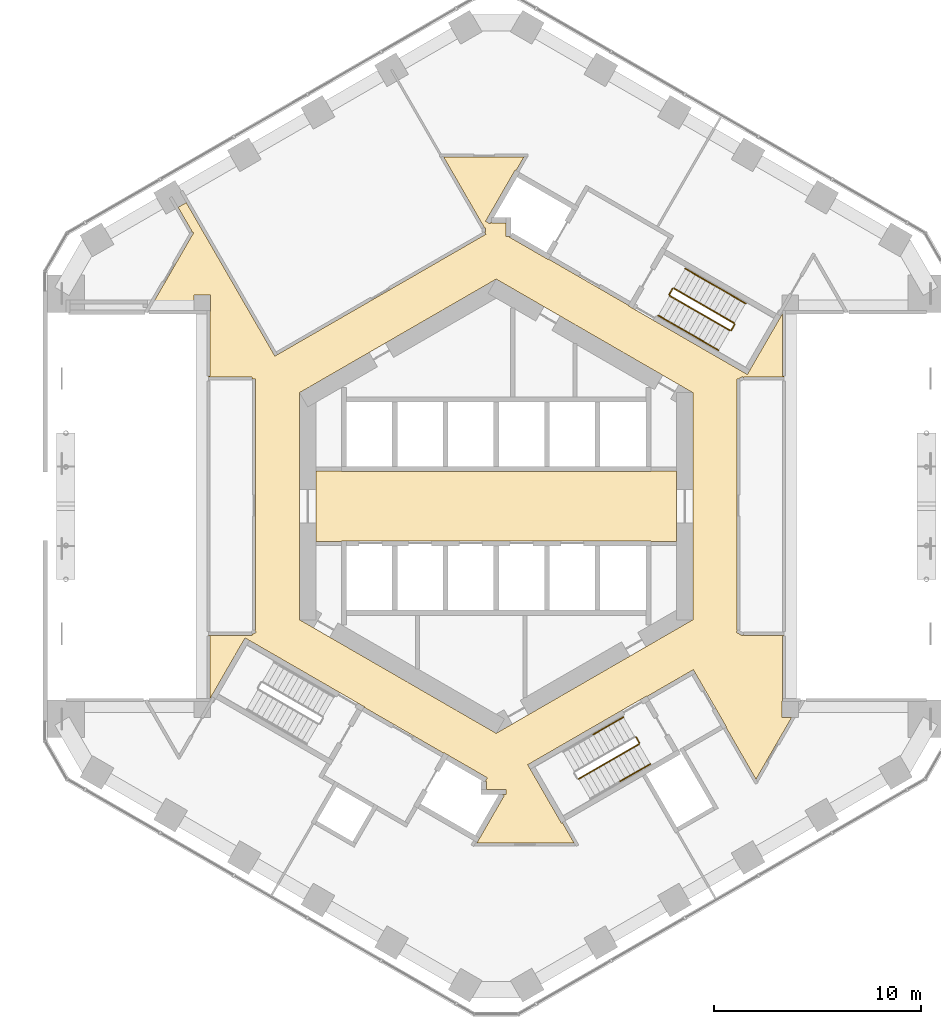
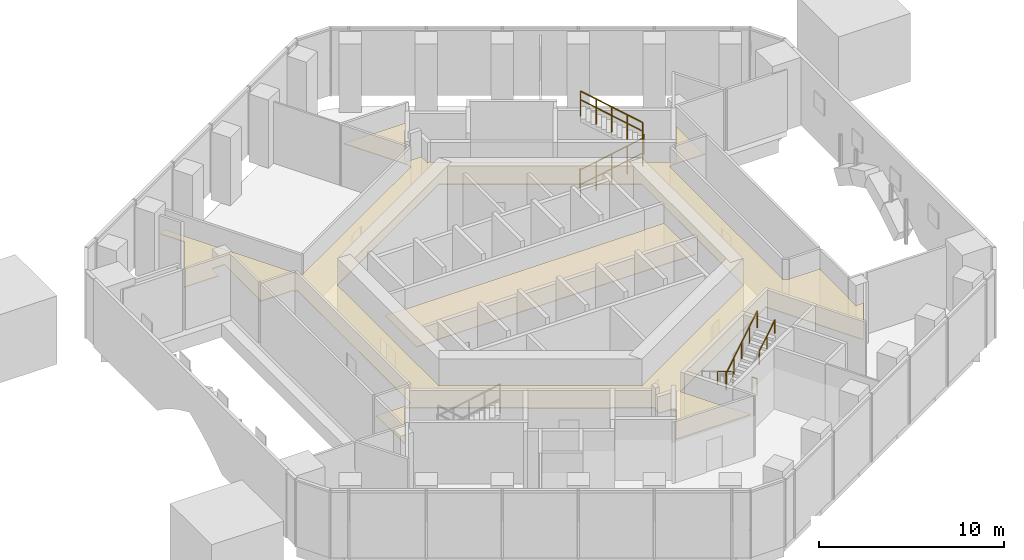
# One storey, part 14 of 14: 12 railings, 2 coverings.
"""IFC4 building model written with IfcOpenShell, lengths in metres."""

from ifc_helpers import new_model, si_unit, direction, frame, origin, origin_2d, place, context, subcontext, project, spatial, polyline, circle, outline, extrude, material, layer, layer_set, type_object, element, save


model = new_model("IFC4")

# Units and contexts
model_context = context("Model", 3, precision=1e-05, world=origin(), true_north=direction((0.0, 1.0)))
body_context = subcontext(model_context, "Body", "Model", "MODEL_VIEW")
ifc_project = project(units=[si_unit("LENGTHUNIT", "METRE"), si_unit("AREAUNIT", "SQUARE_METRE"), si_unit("VOLUMEUNIT", "CUBIC_METRE"), si_unit("PLANEANGLEUNIT", "RADIAN"), si_unit("MASSUNIT", "GRAM", prefix="KILO")], contexts=[model_context])

# Site, building, storey
site_placement = place(None, origin())
site = spatial("IfcSite", under=ifc_project, at=site_placement, CompositionType="ELEMENT")
building_placement = place(site_placement, origin())
building = spatial("IfcBuilding", under=site, at=building_placement, Name="Ayvan Gate Tower", CompositionType="ELEMENT")
storey_placement = place(building_placement, frame((0.0, 0.0, 16.0)))
storey = spatial("IfcBuildingStorey", under=building, at=storey_placement, Name="L03", CompositionType="ELEMENT", Elevation=16.0)

# Coverings
ifc_material_1 = material(Name="Plasterboard suspended ceiling")
ifc_layer = layer(ifc_material_1, 0.050048828125)
ifc_layer_set = layer_set([ifc_layer], Name="Plasterboard suspended ceiling")
covering_type = type_object("IfcCoveringType", Name="CT-SUSP-50", PredefinedType="CEILING", material=ifc_layer_set)
covering_1_placement = place(storey_placement, frame((0.0, 0.0, 2.699951171875)))
element("IfcCovering", 1, at=covering_1_placement, inside=storey, type_object=covering_type, Name="Ceiling Lift Lobby L03", PredefinedType="CEILING", context=body_context, shape_type="SweptSolid", body=[
    extrude(outline(polyline([(7.47509765625, -1.675048828125), (-7.47509765625, -1.675048828125), (-7.47509765625, -1.699951171875), (-8.699951171875, -1.699951171875), (-8.699951171875, 1.699951171875), (-7.47509765625, 1.699951171875), (-7.47509765625, 1.675048828125), (7.47509765625, 1.675048828125), (7.47509765625, 1.699951171875), (8.699951171875, 1.699951171875), (8.699951171875, -1.699951171875), (7.47509765625, -1.699951171875), (7.47509765625, -1.675048828125)])), origin(), (0.0, 0.0, 1.0), 0.050048828125),
])
covering_2_placement = place(storey_placement, frame((0.0, 0.0, 2.699951171875)))
element("IfcCovering", 2, at=covering_2_placement, inside=storey, type_object=covering_type, Name="Ceiling Gallery L03", PredefinedType="CEILING", context=body_context, shape_type="SweptSolid", body=[
    extrude(outline(polyline([(-14.617919921875, 13.20263671875), (-14.720458984375, 13.26171875), (-14.693115234375, 13.277587890625), (-15.36279296875, 14.4375), (-14.969970703125, 14.664306640625), (-10.690185546875, 7.25146484375), (-10.57763671875, 7.31640625), (-0.49755859375, 13.135986328125), (-0.556640625, 13.238525390625), (-0.52490234375, 13.238525390625), (-0.52490234375, 13.435791015625), (-0.556884765625, 13.435791015625), (-2.5341796875, 16.86083984375), (1.334228515625, 16.86083984375), (0.962158203125, 16.216552734375), (0.918701171875, 16.241455078125), (-0.511474609375, 13.76416015625), (-0.294921875, 13.63916015625), (-0.215576171875, 13.776611328125), (-0.215576171875, 13.68505859375), (0.47509765625, 13.68505859375), (0.47509765625, 13.03857421875), (0.672119140625, 13.03857421875), (0.645751953125, 12.992919921875), (2.518310546875, 11.91162109375), (2.53076171875, 11.933349609375), (6.384521484375, 9.70849609375), (6.3720703125, 9.686767578125), (6.588623046875, 9.561767578125), (12.131103515625, 6.36181640625), (12.24609375, 6.56103515625), (13.824951171875, 9.295654296875), (13.824951171875, 6.28076171875), (13.89990234375, 6.28076171875), (13.89990234375, 6.23583984375), (11.94580078125, 6.23583984375), (11.94580078125, 6.180908203125), (11.898193359375, 6.26318359375), (11.7275390625, 6.16455078125), (11.743408203125, 6.13720703125), (11.625, 6.13720703125), (11.625, -5.9873046875), (11.656494140625, -5.9873046875), (11.597412109375, -6.089599609375), (11.898193359375, -6.26318359375), (11.94580078125, -6.180908203125), (11.94580078125, -6.23583984375), (13.89990234375, -6.23583984375), (13.89990234375, -6.28076171875), (13.824951171875, -6.28076171875), (13.824951171875, -9.39794921875), (13.800048828125, -9.39794921875), (13.800048828125, -10.197998046875), (14.2744140625, -10.197998046875), (12.54931640625, -13.185791015625), (11.102294921875, -10.6796875), (11.123779296875, -10.667236328125), (9.623779296875, -8.069091796875), (9.52392578125, -7.89599609375), (7.2939453125, -9.183349609375), (7.281494140625, -9.16162109375), (1.522216796875, -12.48681640625), (1.647216796875, -12.703369140625), (3.147216796875, -15.30126953125), (3.190673828125, -15.2763671875), (3.759033203125, -16.260986328125), (-0.93017578125, -16.260986328125), (-0.803955078125, -16.042236328125), (0.386474609375, -13.980712890625), (0.30712890625, -13.93505859375), (0.465576171875, -13.93505859375), (0.465576171875, -13.68505859375), (-0.47509765625, -13.68505859375), (-0.47509765625, -13.28857421875), (-0.52783203125, -13.28857421875), (-0.42919921875, -13.117919921875), (-2.284423828125, -12.046630859375), (-2.518310546875, -11.91162109375), (-2.53076171875, -11.933349609375), (-6.384521484375, -9.70849609375), (-6.3720703125, -9.686767578125), (-11.897216796875, -6.49658203125), (-12.131103515625, -6.36181640625), (-13.824951171875, -9.295654296875), (-13.824951171875, -6.28076171875), (-13.89990234375, -6.28076171875), (-13.89990234375, -6.23583984375), (-11.7958984375, -6.23583984375), (-11.7958984375, -6.140625), (-11.768310546875, -6.188232421875), (-11.597412109375, -6.089599609375), (-11.656494140625, -5.9873046875), (-11.625, -5.9873046875), (-11.625, 6.13720703125), (-11.7958984375, 6.13720703125), (-11.7958984375, 6.23583984375), (-13.89990234375, 6.23583984375), (-13.89990234375, 6.28076171875), (-13.824951171875, 6.28076171875), (-13.824951171875, 9.39794921875), (-13.800048828125, 9.39794921875), (-13.800048828125, 10.197998046875), (-14.60009765625, 10.197998046875), (-14.60009765625, 9.44287109375), (-16.788818359375, 9.44287109375), (-14.617919921875, 13.20263671875)]), holes=[polyline([(2.808349609375, 9.34814453125), (0.0, 10.9697265625), (-2.808349609375, 9.34814453125), (-9.5, 5.48486328125), (-9.5, -5.48486328125), (-2.808349609375, -9.34814453125), (0.0, -10.9697265625), (2.808349609375, -9.34814453125), (9.5, -5.48486328125), (9.5, 5.48486328125), (2.808349609375, 9.34814453125)])]), origin(), (0.0, 0.0, 1.0), 0.050048828125),
])

# Railings
ifc_material_2 = material(Name="Stainless steel balustrade", Category="steel")
railing_type_1 = type_object("IfcRailingType", Name="RL-GUARD-1100", PredefinedType="GUARDRAIL", material=ifc_material_2)
railing_1_placement = place(storey_placement, frame((8.381103515625, 10.16650390625, 0.173095703125)))
element("IfcRailing", 3, at=railing_1_placement, inside=storey, type_object=railing_type_1, Name="L03 STS1 stair guard 1", PredefinedType="GUARDRAIL", context=body_context, shape_type="SweptSolid", body=[
    extrude(circle(Radius=0.02392578125, at=origin_2d()), frame((0.0, 0.0, 1.076171875), z_axis=(0.736667954249, -0.425288379326, 0.525785240943), x_axis=(0.499976138585, 0.866039179741, 0.0)), (0.0, 0.0, 1.0), 3.9501953125),
    extrude(circle(Radius=0.02099609375, at=origin_2d()), origin(), (0.0, 0.0, 1.0), 1.052001953125),
    extrude(circle(Radius=0.02099609375, at=origin_2d()), frame((0.7275390625, -0.419921875, 0.519287109375)), (0.0, 0.0, 1.0), 1.052001953125),
    extrude(circle(Radius=0.02099609375, at=origin_2d()), frame((1.455078125, -0.83984375, 1.03857421875)), (0.0, 0.0, 1.0), 1.052001953125),
    extrude(circle(Radius=0.02099609375, at=origin_2d()), frame((2.182373046875, -1.260009765625, 1.5576171875)), (0.0, 0.0, 1.0), 1.052001953125),
    extrude(circle(Radius=0.02099609375, at=origin_2d()), frame((2.909912109375, -1.679931640625, 2.076904296875)), (0.0, 0.0, 1.0), 1.052001953125),
])
railing_2_placement = place(storey_placement, frame((11.359130859375, 8.5048828125, 2.25)))
element("IfcRailing", 4, at=railing_2_placement, inside=storey, type_object=railing_type_1, Name="L03 STS1 stair guard 2", PredefinedType="GUARDRAIL", context=body_context, shape_type="SweptSolid", body=[
    extrude(circle(Radius=0.02392578125, at=origin_2d()), frame((0.0, 0.0, 1.076171875), z_axis=(0.500290723946, 0.86585748916, 0.0), x_axis=(-0.86585748916, 0.500290723946, 0.0)), (0.0, 0.0, 1.0), 0.309814453125),
    extrude(circle(Radius=0.02099609375, at=origin_2d()), origin(), (0.0, 0.0, 1.0), 1.052001953125),
    extrude(circle(Radius=0.02099609375, at=origin_2d()), frame((0.155029296875, 0.268310546875, 0.0)), (0.0, 0.0, 1.0), 1.052001953125),
])
railing_3_placement = place(storey_placement, frame((11.495849609375, 8.841552734375, 2.423095703125)))
element("IfcRailing", 5, at=railing_3_placement, inside=storey, type_object=railing_type_1, Name="L03 STS1 stair guard 3", PredefinedType="GUARDRAIL", context=body_context, shape_type="SweptSolid", body=[
    extrude(circle(Radius=0.02392578125, at=origin_2d()), frame((0.0, 0.0, 1.076171875), z_axis=(-0.736639687092, 0.425307743487, 0.525809180911), x_axis=(-0.500007602105, -0.866021014662, 0.0)), (0.0, 0.0, 1.0), 3.949951171875),
    extrude(circle(Radius=0.02099609375, at=origin_2d()), origin(), (0.0, 0.0, 1.0), 1.052001953125),
    extrude(circle(Radius=0.02099609375, at=origin_2d()), frame((-0.7275390625, 0.419921875, 0.519287109375)), (0.0, 0.0, 1.0), 1.052001953125),
    extrude(circle(Radius=0.02099609375, at=origin_2d()), frame((-1.454833984375, 0.83984375, 1.03857421875)), (0.0, 0.0, 1.0), 1.052001953125),
    extrude(circle(Radius=0.02099609375, at=origin_2d()), frame((-2.18212890625, 1.260009765625, 1.5576171875)), (0.0, 0.0, 1.0), 1.052001953125),
    extrude(circle(Radius=0.02099609375, at=origin_2d()), frame((-2.90966796875, 1.679931640625, 2.076904296875)), (0.0, 0.0, 1.0), 1.052001953125),
])
railing_4_placement = place(storey_placement, frame((8.36279296875, 10.23486328125, 0.0)))
element("IfcRailing", 6, at=railing_4_placement, inside=storey, type_object=railing_type_1, Name="L03 STS1 stair guard 4", PredefinedType="GUARDRAIL", context=body_context, shape_type="SweptSolid", body=[
    extrude(circle(Radius=0.02392578125, at=origin_2d()), frame((0.0, 0.0, 1.076171875), z_axis=(0.500290723946, 0.86585748916, 0.0), x_axis=(-0.86585748916, 0.500290723946, 0.0)), (0.0, 0.0, 1.0), 0.309814453125),
    extrude(circle(Radius=0.02099609375, at=origin_2d()), origin(), (0.0, 0.0, 1.0), 1.052001953125),
    extrude(circle(Radius=0.02099609375, at=origin_2d()), frame((0.155029296875, 0.268310546875, 0.0)), (0.0, 0.0, 1.0), 1.052001953125),
])
railing_5_placement = place(storey_placement, frame((3.987548828125, -13.176513671875, 2.423095703125)))
element("IfcRailing", 7, at=railing_5_placement, inside=storey, type_object=railing_type_1, Name="L03 STS3 stair guard 3", PredefinedType="GUARDRAIL", context=body_context, shape_type="SweptSolid", body=[
    extrude(circle(Radius=0.02392578125, at=origin_2d()), frame((0.0, 0.0, 1.076171875), z_axis=(0.736667954249, 0.425288379326, 0.525785240943), x_axis=(-0.499976138585, 0.866039179741, 0.0)), (0.0, 0.0, 1.0), 3.9501953125),
    extrude(circle(Radius=0.02099609375, at=origin_2d()), origin(), (0.0, 0.0, 1.0), 1.052001953125),
    extrude(circle(Radius=0.02099609375, at=origin_2d()), frame((0.7275390625, 0.419921875, 0.519287109375)), (0.0, 0.0, 1.0), 1.052001953125),
    extrude(circle(Radius=0.02099609375, at=origin_2d()), frame((1.455078125, 0.83984375, 1.03857421875)), (0.0, 0.0, 1.0), 1.052001953125),
    extrude(circle(Radius=0.02099609375, at=origin_2d()), frame((2.182373046875, 1.260009765625, 1.5576171875)), (0.0, 0.0, 1.0), 1.052001953125),
    extrude(circle(Radius=0.02099609375, at=origin_2d()), frame((2.909912109375, 1.679931640625, 2.076904296875)), (0.0, 0.0, 1.0), 1.052001953125),
])
railing_6_placement = place(storey_placement, frame((6.7607421875, -11.159912109375, 0.0)))
element("IfcRailing", 8, at=railing_6_placement, inside=storey, type_object=railing_type_1, Name="L03 STS3 stair guard 4", PredefinedType="GUARDRAIL", context=body_context, shape_type="SweptSolid", body=[
    extrude(circle(Radius=0.02392578125, at=origin_2d()), frame((0.0, 0.0, 1.076171875), z_axis=(0.500290723946, -0.86585748916, 0.0), x_axis=(0.86585748916, 0.500290723946, 0.0)), (0.0, 0.0, 1.0), 0.309814453125),
    extrude(circle(Radius=0.02099609375, at=origin_2d()), origin(), (0.0, 0.0, 1.0), 1.052001953125),
    extrude(circle(Radius=0.02099609375, at=origin_2d()), frame((0.155029296875, -0.268310546875, 0.0)), (0.0, 0.0, 1.0), 1.052001953125),
])
railing_type_2 = type_object("IfcRailingType", Name="RL-HANDRAIL-900", PredefinedType="HANDRAIL", material=ifc_material_2)
railing_7_placement = place(storey_placement, frame((7.8310546875, 9.2138671875, 0.173095703125)))
element("IfcRailing", 9, at=railing_7_placement, inside=storey, type_object=railing_type_2, Name="L03 STS1 stair handrail 1", PredefinedType="HANDRAIL", context=body_context, shape_type="SweptSolid", body=[
    extrude(circle(Radius=0.02392578125, at=origin_2d()), frame((0.0, 0.0, 0.8759765625), z_axis=(0.736700790218, -0.425333459587, 0.525702761879), x_axis=(0.499999171277, 0.866025882247, 0.0)), (0.0, 0.0, 1.0), 1.97509765625),
    extrude(circle(Radius=0.02099609375, at=origin_2d()), origin(), (0.0, 0.0, 1.0), 0.851806640625),
    extrude(circle(Radius=0.02099609375, at=origin_2d()), frame((0.7275390625, -0.419921875, 0.51904296875)), (0.0, 0.0, 1.0), 0.851806640625),
    extrude(circle(Radius=0.02099609375, at=origin_2d()), frame((1.455078125, -0.840087890625, 1.038330078125)), (0.0, 0.0, 1.0), 0.851806640625),
])
railing_8_placement = place(storey_placement, frame((9.2861328125, 8.373779296875, 1.21142578125)))
element("IfcRailing", 10, at=railing_8_placement, inside=storey, type_object=railing_type_2, Name="L03 STS1 stair handrail 2", PredefinedType="HANDRAIL", context=body_context, shape_type="SweptSolid", body=[
    extrude(circle(Radius=0.02392578125, at=origin_2d()), frame((0.0, 0.0, 0.8759765625), z_axis=(0.736635108394, -0.425243291303, 0.52586772128), x_axis=(0.499953100966, 0.866052479261, 0.0)), (0.0, 0.0, 1.0), 1.974853515625),
    extrude(circle(Radius=0.02099609375, at=origin_2d()), origin(), (0.0, 0.0, 1.0), 0.851806640625),
    extrude(circle(Radius=0.02099609375, at=origin_2d()), frame((0.7275390625, -0.419921875, 0.519287109375)), (0.0, 0.0, 1.0), 0.851806640625),
    extrude(circle(Radius=0.02099609375, at=origin_2d()), frame((1.454833984375, -0.83984375, 1.03857421875)), (0.0, 0.0, 1.0), 0.851806640625),
])
railing_9_placement = place(storey_placement, frame((12.0458984375, 9.794189453125, 2.423095703125)))
element("IfcRailing", 11, at=railing_9_placement, inside=storey, type_object=railing_type_2, Name="L03 STS1 stair handrail 3", PredefinedType="HANDRAIL", context=body_context, shape_type="SweptSolid", body=[
    extrude(circle(Radius=0.02392578125, at=origin_2d()), frame((0.0, 0.0, 0.8759765625), z_axis=(-0.736644260248, 0.425372193239, 0.525750635817), x_axis=(-0.500062097304, -0.865989548921, 0.0)), (0.0, 0.0, 1.0), 1.974853515625),
    extrude(circle(Radius=0.02099609375, at=origin_2d()), origin(), (0.0, 0.0, 1.0), 0.851806640625),
    extrude(circle(Radius=0.02099609375, at=origin_2d()), frame((-0.7275390625, 0.419921875, 0.51904296875)), (0.0, 0.0, 1.0), 0.851806640625),
    extrude(circle(Radius=0.02099609375, at=origin_2d()), frame((-1.454833984375, 0.840087890625, 1.038330078125)), (0.0, 0.0, 1.0), 0.851806640625),
])
railing_10_placement = place(storey_placement, frame((10.591064453125, 10.63427734375, 3.46142578125)))
element("IfcRailing", 12, at=railing_10_placement, inside=storey, type_object=railing_type_2, Name="L03 STS1 stair handrail 4", PredefinedType="HANDRAIL", context=body_context, shape_type="SweptSolid", body=[
    extrude(circle(Radius=0.02392578125, at=origin_2d()), frame((0.0, 0.0, 0.8759765625), z_axis=(-0.736691639328, 0.42520457035, 0.525819837869), x_axis=(-0.499890179513, -0.866088799389, 0.0)), (0.0, 0.0, 1.0), 1.97509765625),
    extrude(circle(Radius=0.02099609375, at=origin_2d()), origin(), (0.0, 0.0, 1.0), 0.851806640625),
    extrude(circle(Radius=0.02099609375, at=origin_2d()), frame((-0.7275390625, 0.419921875, 0.519287109375)), (0.0, 0.0, 1.0), 0.851806640625),
    extrude(circle(Radius=0.02099609375, at=origin_2d()), frame((-1.455078125, 0.83984375, 1.03857421875)), (0.0, 0.0, 1.0), 0.851806640625),
])
railing_11_placement = place(storey_placement, frame((6.142333984375, -10.18896484375, 0.173095703125)))
element("IfcRailing", 13, at=railing_11_placement, inside=storey, type_object=railing_type_2, Name="L03 STS3 stair handrail 1", PredefinedType="HANDRAIL", context=body_context, shape_type="SweptSolid", body=[
    extrude(circle(Radius=0.02392578125, at=origin_2d()), frame((0.0, 0.0, 0.8759765625), z_axis=(-0.736682993367, -0.425270934248, 0.525778280045), x_axis=(0.499953100966, -0.866052479261, 0.0)), (0.0, 0.0, 1.0), 1.974853515625),
    extrude(circle(Radius=0.02099609375, at=origin_2d()), origin(), (0.0, 0.0, 1.0), 0.851806640625),
    extrude(circle(Radius=0.02099609375, at=origin_2d()), frame((-0.7275390625, -0.419921875, 0.51904296875)), (0.0, 0.0, 1.0), 0.851806640625),
    extrude(circle(Radius=0.02099609375, at=origin_2d()), frame((-1.454833984375, -0.83984375, 1.038330078125)), (0.0, 0.0, 1.0), 0.851806640625),
])
railing_12_placement = place(storey_placement, frame((5.992431640625, -13.289306640625, 3.46142578125)))
element("IfcRailing", 14, at=railing_12_placement, inside=storey, type_object=railing_type_2, Name="L03 STS3 stair handrail 4", PredefinedType="HANDRAIL", context=body_context, shape_type="SweptSolid", body=[
    extrude(circle(Radius=0.02392578125, at=origin_2d()), frame((0.0, 0.0, 0.8759765625), z_axis=(0.736596382827, 0.42534454662, 0.525840075943), x_axis=(-0.500062097304, 0.865989548921, 0.0)), (0.0, 0.0, 1.0), 1.97509765625),
    extrude(circle(Radius=0.02099609375, at=origin_2d()), origin(), (0.0, 0.0, 1.0), 0.851806640625),
    extrude(circle(Radius=0.02099609375, at=origin_2d()), frame((0.7275390625, 0.419921875, 0.519287109375)), (0.0, 0.0, 1.0), 0.851806640625),
    extrude(circle(Radius=0.02099609375, at=origin_2d()), frame((1.454833984375, 0.840087890625, 1.03857421875)), (0.0, 0.0, 1.0), 0.851806640625),
])

save(model, "model.ifc")
